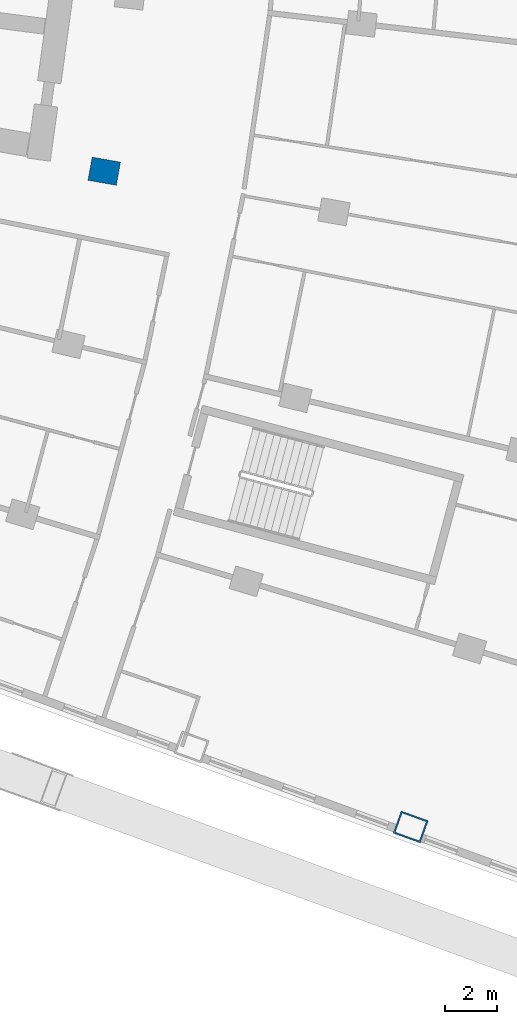
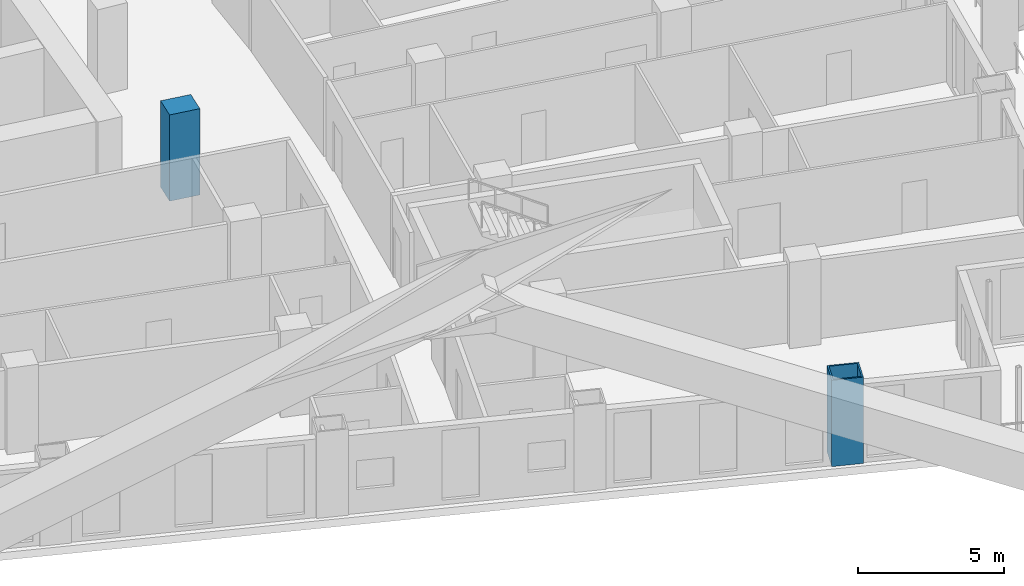
# One storey, part 3 of 23: 2 columns.
"""IFC4 building model written with IfcOpenShell, lengths in metres."""

from ifc_helpers import new_model, si_unit, direction, frame, origin, origin_2d, place, context, subcontext, project, spatial, rectangle, hollow_rectangle, extrude, material, material_profile, profile_set, type_object, element, save


model = new_model("IFC4")

# Units and contexts
model_context = context("Model", 3, precision=1e-05, world=origin(), true_north=direction((0.0, 1.0)))
body_context = subcontext(model_context, "Body", "Model", "MODEL_VIEW")
ifc_project = project(units=[si_unit("LENGTHUNIT", "METRE"), si_unit("AREAUNIT", "SQUARE_METRE"), si_unit("VOLUMEUNIT", "CUBIC_METRE"), si_unit("PLANEANGLEUNIT", "RADIAN"), si_unit("MASSUNIT", "GRAM", prefix="KILO")], contexts=[model_context])

# Site, building, storey
site_placement = place(None, origin())
site = spatial("IfcSite", under=ifc_project, at=site_placement, CompositionType="ELEMENT")
building_placement = place(site_placement, origin())
building = spatial("IfcBuilding", under=site, at=building_placement, Name="Alderwake Tower", CompositionType="ELEMENT")
storey_placement = place(building_placement, frame((0.0, 0.0, 53.60009765625)))
storey = spatial("IfcBuildingStorey", under=building, at=storey_placement, Name="L12", CompositionType="ELEMENT", Elevation=53.60009765625)

# Columns
ifc_material_1 = material(Name="Steel ASTM A572 Grade 50 concrete filled C70/85", Category="concrete")
ifc_material_profile_1 = material_profile(ifc_material_1, hollow_rectangle(XDim=0.89990234375, YDim=1.10009765625, WallThickness=0.06005859375, at=origin_2d()), Name="BOX 1100X900X60")
ifc_profile_set_1 = profile_set([ifc_material_profile_1], Name="Steel ASTM A572 Grade 50 concrete filled C70/85")
column_type_1 = type_object("IfcColumnType", Name="End column Z1", PredefinedType="COLUMN", material=ifc_profile_set_1)
column_1_placement = place(storey_placement, frame((45.767333984375, 15.72998046875, 0.0), z_axis=(0.0, 0.0, 1.0), x_axis=(0.33867716011, 0.940902641733, 0.0)))
element("IfcColumn", 1, at=column_1_placement, inside=storey, type_object=column_type_1, Name="Column R01-C4", PredefinedType="COLUMN", context=body_context, shape_type="SweptSolid", body=[
    extrude(hollow_rectangle(XDim=0.89990234375, YDim=1.10009765625, WallThickness=0.06005859375, at=origin_2d()), origin(), (0.0, 0.0, 1.0), 3.599853515625),
])
ifc_material_2 = material(Name="Concrete C70/85", Category="concrete")
ifc_material_profile_2 = material_profile(ifc_material_2, rectangle(XDim=0.89990234375, YDim=1.10009765625, at=origin_2d()), Name="RC 1100X900")
ifc_profile_set_2 = profile_set([ifc_material_profile_2], Name="Concrete C70/85")
column_type_2 = type_object("IfcColumnType", Name="Interior column Z1", PredefinedType="COLUMN", material=ifc_profile_set_2)
column_2_placement = place(storey_placement, frame((34.03125, 40.83837890625, 0.0), z_axis=(0.0, 0.0, 1.0), x_axis=(0.174108800747, 0.984726421654, 0.0)))
element("IfcColumn", 2, at=column_2_placement, inside=storey, type_object=column_type_2, Name="Column R04-C2", PredefinedType="COLUMN", context=body_context, shape_type="SweptSolid", body=[
    extrude(rectangle(XDim=0.89990234375, YDim=1.10009765625, at=origin_2d()), origin(), (0.0, 0.0, 1.0), 3.599853515625),
])

save(model, "model.ifc")
